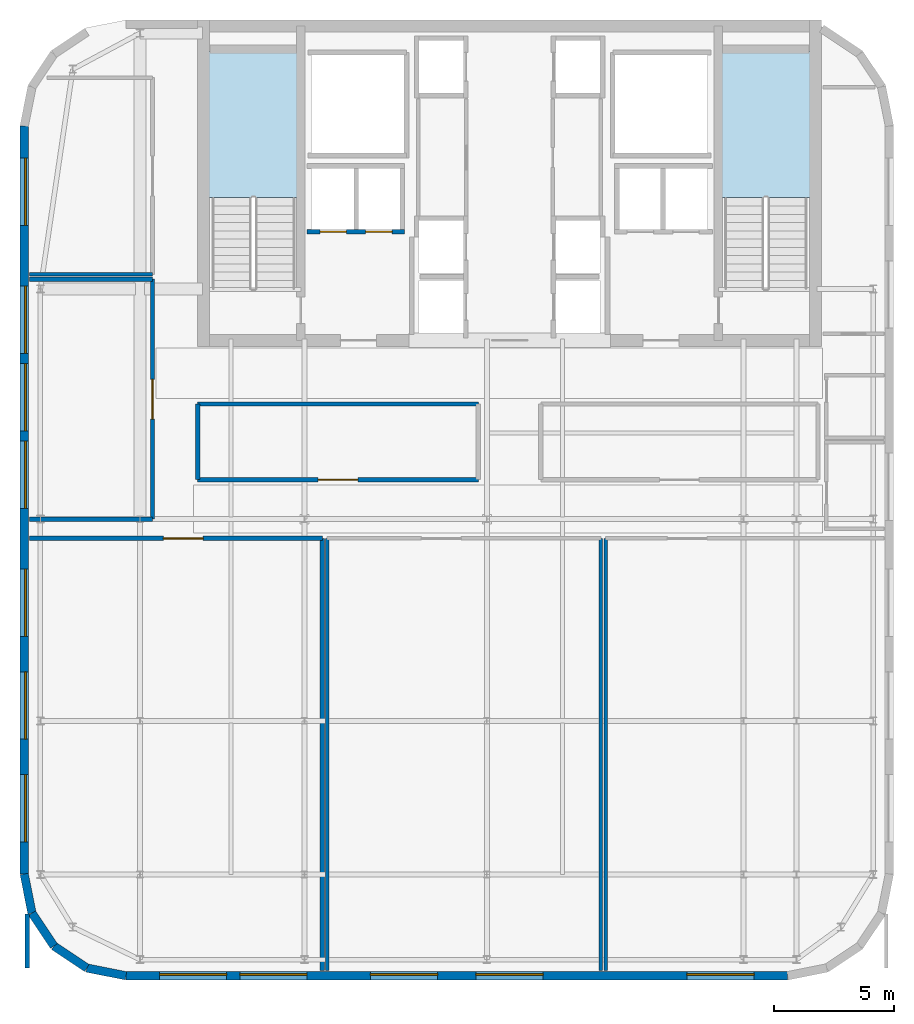
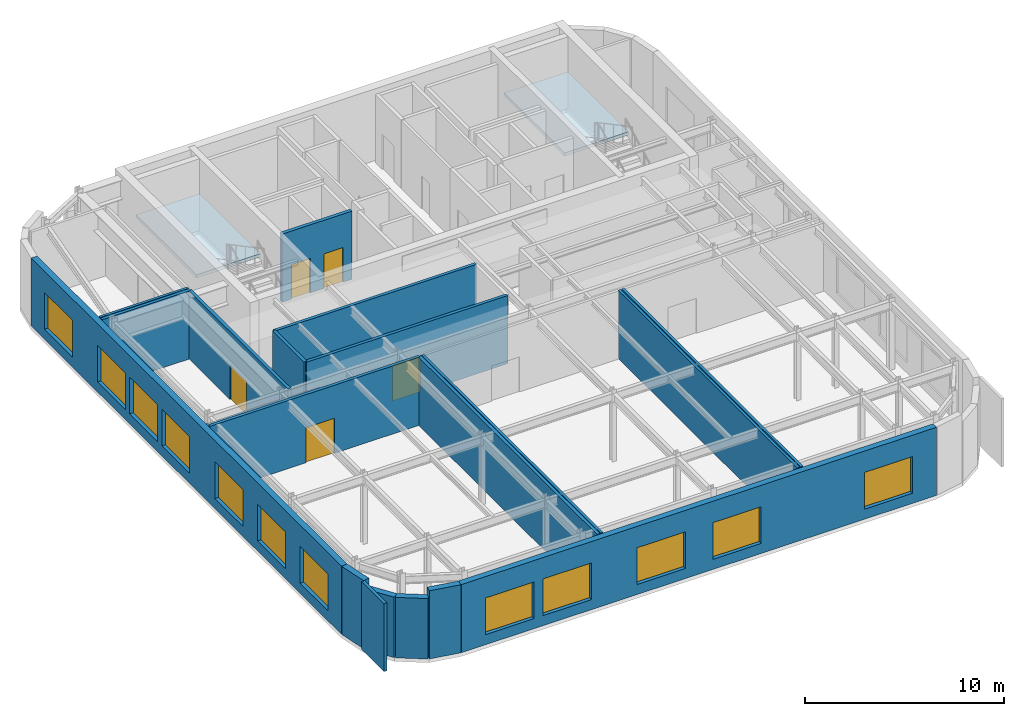
# One storey, part 6 of 10: 20 walls, 12 windows, 5 doors, 2 slabs, 17 openings, 2 elements without a shape of their own.
"""IFC4 building model written with IfcOpenShell, lengths in metres."""

from ifc_helpers import new_model, si_unit, direction, frame, frame_2d, origin, place, context, subcontext, project, spatial, polyline, rectangle, outline, extrude, source, transform, mapped, material, layer, layer_set, type_object, type_shapes, element, fill, aggregate, save


model = new_model("IFC4")

# Units and contexts
model_context = context("Model", 3, precision=1e-05, world=origin(), true_north=direction((0.0, 1.0)))
body_context = subcontext(model_context, "Body", "Model", "MODEL_VIEW")
ifc_project = project(units=[si_unit("LENGTHUNIT", "METRE"), si_unit("AREAUNIT", "SQUARE_METRE"), si_unit("VOLUMEUNIT", "CUBIC_METRE"), si_unit("PLANEANGLEUNIT", "RADIAN"), si_unit("MASSUNIT", "GRAM", prefix="KILO")], contexts=[model_context])

# Site, building, storey
site_placement = place(None, origin())
site = spatial("IfcSite", under=ifc_project, at=site_placement, CompositionType="ELEMENT")
building_placement = place(site_placement, origin())
building = spatial("IfcBuilding", under=site, at=building_placement, Name="Tolvann Quenvar Hotel", CompositionType="ELEMENT")
storey_placement = place(building_placement, frame((0.0, 0.0, 282.14990234375)))
storey = spatial("IfcBuildingStorey", under=building, at=storey_placement, Name="L75", CompositionType="ELEMENT", Elevation=282.14990234375)

# Stair, slab
ifc_material_1 = material(Name="Concrete N40 (40 MPa)", Category="concrete")
stair_type = type_object("IfcStairType", Name="STAIR", PredefinedType="HALF_TURN_STAIR", material=ifc_material_1)
stair_1_placement = place(storey_placement, origin())
stair_1 = element("IfcStair", 1, at=stair_1_placement, inside=storey, type_object=stair_type, Name="L75 ST-C1", PredefinedType="HALF_TURN_STAIR")
ifc_layer_1 = layer(ifc_material_1, 0.199951171875)
ifc_layer_set_1 = layer_set([ifc_layer_1], Name="Concrete N40 (40 MPa)")
slab_type = type_object("IfcSlabType", Name="SLAB_LANDING", PredefinedType="LANDING", material=ifc_layer_set_1)
slab_1_placement = place(storey_placement, frame((0.0, 0.0, 2.0)))
slab_1 = element("IfcSlab", 2, at=slab_1_placement, type_object=slab_type, Name="ST-C1 landing 1", PredefinedType="LANDING", context=body_context, shape_type="SweptSolid", body=[
    extrude(outline(polyline([(14.179931640625, 37.794921875), (14.179931640625, 43.8798828125), (10.469970703125, 43.8798828125), (10.469970703125, 37.794921875), (14.179931640625, 37.794921875)])), origin(), (0.0, 0.0, 1.0), 0.2001953125),
])
aggregate(stair_1, [slab_1])

stair_2_placement = place(storey_placement, origin())
stair_2 = element("IfcStair", 3, at=stair_2_placement, inside=storey, type_object=stair_type, Name="L75 ST-C2", PredefinedType="HALF_TURN_STAIR")
slab_2_placement = place(storey_placement, frame((0.0, 0.0, 2.0)))
slab_2 = element("IfcSlab", 4, at=slab_2_placement, type_object=slab_type, Name="ST-C2 landing 1", PredefinedType="LANDING", context=body_context, shape_type="SweptSolid", body=[
    extrude(outline(polyline([(35.530029296875, 37.794921875), (35.530029296875, 43.8798828125), (31.820068359375, 43.8798828125), (31.820068359375, 37.794921875), (35.530029296875, 37.794921875)])), origin(), (0.0, 0.0, 1.0), 0.2001953125),
])
aggregate(stair_2, [slab_2])

# Walls
ifc_material_2 = material(Name="Kiln-fired red and buff architectural clay brickwork and terracotta masonry", Category="masonry")
ifc_layer_2 = layer(ifc_material_2, 0.35009765625)
ifc_layer_set_2 = layer_set([ifc_layer_2], Name="Kiln-fired red and buff architectural clay brickwork and terracotta masonry")
wall_type_1 = type_object("IfcWallType", Name="WALL_EXT_BRICK_350", PredefinedType="SOLIDWALL", material=ifc_layer_set_2)
for number, where, z_axis, x_axis, name in (
    (5, (3.099609375, 7.984619140625, 0.0), (0.0, 0.0, 1.0), (0.555623290322, -0.831434158098, 0.0), "Exterior Chicago Brick Wall L75-E01"),
    (6, (4.014892578125, 6.614990234375, 0.0), (0.0, 0.0, 1.0), (0.831434158098, -0.555623290322, 0.0), "Exterior Chicago Brick Wall L75-E02"),
):
    element("IfcWall", number, at=place(storey_placement, frame(where, z_axis=z_axis, x_axis=x_axis)), inside=storey, type_object=wall_type_1, Name=name, PredefinedType="SOLIDWALL", context=body_context, shape_type="SweptSolid", body=[
        extrude(rectangle(XDim=1.647216796875, YDim=0.35009765625, at=frame_2d((0.82373046875, 0.0))), origin(), (0.0, 0.0, 1.0), 3.710205078125),
    ])
wall_1_placement = place(storey_placement, frame((5.384521484375, 5.69970703125, 0.0), z_axis=(0.0, 0.0, 1.0), x_axis=(0.980788844421, -0.195072403631, 0.0)))
element("IfcWall", 7, at=wall_1_placement, inside=storey, type_object=wall_type_1, Name="Exterior Chicago Brick Wall L75-E03", PredefinedType="SOLIDWALL", context=body_context, shape_type="SweptSolid", body=[
    extrude(rectangle(XDim=1.66455078125, YDim=0.35009765625, at=frame_2d((0.832275390625, 0.0))), origin(), (0.0, 0.0, 1.0), 4.18017578125),
])

# Wall, openings, windows
wall_2_placement = place(storey_placement, frame((7.01708984375, 5.375, 0.0), z_axis=(0.0, 0.0, 1.0), x_axis=(1.0, 0.0, 0.0)))
wall_2 = element("IfcWall", 8, at=wall_2_placement, inside=storey, type_object=wall_type_1, Name="Exterior Chicago Brick Wall L75-E04", PredefinedType="SOLIDWALL", context=body_context, shape_type="SweptSolid", body=[
    extrude(rectangle(XDim=27.565673828125, YDim=0.35009765625, at=frame_2d((13.78271484375, 0.0))), origin(), (0.0, 0.0, 1.0), 4.18017578125),
])
opening_1_placement = place(wall_2_placement, frame((1.39697265625, 0.0, 0.6201171875)))
opening_1 = element("IfcOpeningElement", 9, at=opening_1_placement, cuts=wall_2, Name="Opening W-07", PredefinedType="OPENING", context=body_context, shape_type="SweptSolid", body=[
    extrude(rectangle(XDim=2.800048828125, YDim=2.25, at=frame_2d((1.39990234375, 1.125))), frame((0.0, 0.18505859375, 0.0), z_axis=(0.0, -1.0, 0.0), x_axis=(1.0, 0.0, 0.0)), (0.0, 0.0, 1.0), 0.3701171875),
])
opening_2_placement = place(wall_2_placement, frame((4.740966796875, 0.0, 0.6201171875)))
opening_2 = element("IfcOpeningElement", 10, at=opening_2_placement, cuts=wall_2, Name="Opening W-07", PredefinedType="OPENING", context=body_context, shape_type="SweptSolid", body=[
    extrude(rectangle(XDim=2.800048828125, YDim=2.25, at=frame_2d((1.39990234375, 1.125))), frame((0.0, 0.18505859375, 0.0), z_axis=(0.0, -1.0, 0.0), x_axis=(1.0, 0.0, 0.0)), (0.0, 0.0, 1.0), 0.3701171875),
])
opening_3_placement = place(wall_2_placement, frame((10.18603515625, 0.0, 0.6201171875)))
opening_3 = element("IfcOpeningElement", 11, at=opening_3_placement, cuts=wall_2, Name="Opening W-07", PredefinedType="OPENING", context=body_context, shape_type="SweptSolid", body=[
    extrude(rectangle(XDim=2.800048828125, YDim=2.25, at=frame_2d((1.39990234375, 1.125))), frame((0.0, 0.18505859375, 0.0), z_axis=(0.0, -1.0, 0.0), x_axis=(1.0, 0.0, 0.0)), (0.0, 0.0, 1.0), 0.3701171875),
])
opening_4_placement = place(wall_2_placement, frame((14.580078125, 0.0, 0.6201171875)))
opening_4 = element("IfcOpeningElement", 12, at=opening_4_placement, cuts=wall_2, Name="Opening W-07", PredefinedType="OPENING", context=body_context, shape_type="SweptSolid", body=[
    extrude(rectangle(XDim=2.800048828125, YDim=2.25, at=frame_2d((1.39990234375, 1.125))), frame((0.0, 0.18505859375, 0.0), z_axis=(0.0, -1.0, 0.0), x_axis=(1.0, 0.0, 0.0)), (0.0, 0.0, 1.0), 0.3701171875),
])
opening_5_placement = place(wall_2_placement, frame((23.367919921875, 0.0, 0.6201171875)))
opening_5 = element("IfcOpeningElement", 13, at=opening_5_placement, cuts=wall_2, Name="Opening W-07", PredefinedType="OPENING", context=body_context, shape_type="SweptSolid", body=[
    extrude(rectangle(XDim=2.800048828125, YDim=2.25, at=frame_2d((1.39990234375, 1.125))), frame((0.0, 0.18505859375, 0.0), z_axis=(0.0, -1.0, 0.0), x_axis=(1.0, 0.0, 0.0)), (0.0, 0.0, 1.0), 0.3701171875),
])
ifc_material_3 = material(Name="Thermally broken bronze-anodised aluminium frame with double low-E glazing", Category="aluminium")
window_type = type_object("IfcWindowType", Name="WIN_OBS_2800x2350", PartitioningType="TRIPLE_PANEL_HORIZONTAL", PredefinedType="WINDOW", material=ifc_material_3)
shared_shape_1 = source(origin(), body_context, "Body", "SweptSolid", [
    extrude(rectangle(XDim=2.800048828125, YDim=2.25, at=frame_2d((1.39990234375, 1.125))), frame((0.0, 0.090087890625, 0.0), z_axis=(0.0, -1.0, 0.0), x_axis=(1.0, 0.0, 0.0)), (0.0, 0.0, 1.0), 0.06005859375),
])
type_shapes(window_type, [shared_shape_1])
window_1_placement = place(opening_1_placement, origin())
window_1 = element("IfcWindow", 14, at=window_1_placement, inside=storey, type_object=window_type, Name="Chicago Window W-07 (EW-L75-E04-W01)", OverallHeight=2.25, OverallWidth=2.800048828125, PartitioningType="TRIPLE_PANEL_HORIZONTAL", PredefinedType="WINDOW", context=body_context, shape_type="MappedRepresentation", body=[
    mapped(shared_shape_1, transform((0.0, 0.0, 0.0), x_axis=(1.0, 0.0, 0.0), y_axis=(0.0, 1.0, 0.0), z_axis=(0.0, 0.0, 1.0), scale=1.0)),
])
fill(opening_1, window_1)
window_2_placement = place(opening_2_placement, origin())
window_2 = element("IfcWindow", 15, at=window_2_placement, inside=storey, type_object=window_type, Name="Chicago Window W-07 (EW-L75-E04-W02)", OverallHeight=2.25, OverallWidth=2.800048828125, PartitioningType="TRIPLE_PANEL_HORIZONTAL", PredefinedType="WINDOW", context=body_context, shape_type="MappedRepresentation", body=[
    mapped(shared_shape_1, transform((0.0, 0.0, 0.0), x_axis=(1.0, 0.0, 0.0), y_axis=(0.0, 1.0, 0.0), z_axis=(0.0, 0.0, 1.0), scale=1.0)),
])
fill(opening_2, window_2)
window_3_placement = place(opening_3_placement, origin())
window_3 = element("IfcWindow", 16, at=window_3_placement, inside=storey, type_object=window_type, Name="Chicago Window W-07 (EW-L75-E04-W03)", OverallHeight=2.25, OverallWidth=2.800048828125, PartitioningType="TRIPLE_PANEL_HORIZONTAL", PredefinedType="WINDOW", context=body_context, shape_type="MappedRepresentation", body=[
    mapped(shared_shape_1, transform((0.0, 0.0, 0.0), x_axis=(1.0, 0.0, 0.0), y_axis=(0.0, 1.0, 0.0), z_axis=(0.0, 0.0, 1.0), scale=1.0)),
])
fill(opening_3, window_3)
window_4_placement = place(opening_4_placement, origin())
window_4 = element("IfcWindow", 17, at=window_4_placement, inside=storey, type_object=window_type, Name="Chicago Window W-07 (EW-L75-E04-W04)", OverallHeight=2.25, OverallWidth=2.800048828125, PartitioningType="TRIPLE_PANEL_HORIZONTAL", PredefinedType="WINDOW", context=body_context, shape_type="MappedRepresentation", body=[
    mapped(shared_shape_1, transform((0.0, 0.0, 0.0), x_axis=(1.0, 0.0, 0.0), y_axis=(0.0, 1.0, 0.0), z_axis=(0.0, 0.0, 1.0), scale=1.0)),
])
fill(opening_4, window_4)
window_5_placement = place(opening_5_placement, origin())
window_5 = element("IfcWindow", 18, at=window_5_placement, inside=storey, type_object=window_type, Name="Chicago Window W-07 (EW-L75-E04-W05)", OverallHeight=2.25, OverallWidth=2.800048828125, PartitioningType="TRIPLE_PANEL_HORIZONTAL", PredefinedType="WINDOW", context=body_context, shape_type="MappedRepresentation", body=[
    mapped(shared_shape_1, transform((0.0, 0.0, 0.0), x_axis=(1.0, 0.0, 0.0), y_axis=(0.0, 1.0, 0.0), z_axis=(0.0, 0.0, 1.0), scale=1.0)),
])
fill(opening_5, window_5)

wall_3_placement = place(storey_placement, frame((2.77490234375, 40.78271484375, 0.0), z_axis=(0.0, 0.0, 1.0), x_axis=(0.0, -1.0, 0.0)))
wall_3 = element("IfcWall", 19, at=wall_3_placement, inside=storey, type_object=wall_type_1, Name="Exterior Chicago Brick Wall L75-E19", PredefinedType="SOLIDWALL", context=body_context, shape_type="SweptSolid", body=[
    extrude(rectangle(XDim=31.16552734375, YDim=0.35009765625, at=frame_2d((15.582763671875, 0.0))), origin(), (0.0, 0.0, 1.0), 4.18017578125),
])
opening_6_placement = place(wall_3_placement, frame((1.340087890625, 0.0, 0.6201171875)))
opening_6 = element("IfcOpeningElement", 20, at=opening_6_placement, cuts=wall_3, Name="Opening W-07", PredefinedType="OPENING", context=body_context, shape_type="SweptSolid", body=[
    extrude(rectangle(XDim=2.800048828125, YDim=2.25, at=frame_2d((1.39990234375, 1.125))), frame((0.0, 0.18505859375, 0.0), z_axis=(0.0, -1.0, 0.0), x_axis=(1.0, 0.0, 0.0)), (0.0, 0.0, 1.0), 0.3701171875),
])
opening_7_placement = place(wall_3_placement, frame((6.6708984375, 0.0, 0.6201171875)))
opening_7 = element("IfcOpeningElement", 21, at=opening_7_placement, cuts=wall_3, Name="Opening W-07", PredefinedType="OPENING", context=body_context, shape_type="SweptSolid", body=[
    extrude(rectangle(XDim=2.800048828125, YDim=2.25, at=frame_2d((1.39990234375, 1.125))), frame((0.0, 0.18505859375, 0.0), z_axis=(0.0, -1.0, 0.0), x_axis=(1.0, 0.0, 0.0)), (0.0, 0.0, 1.0), 0.3701171875),
])
opening_8_placement = place(wall_3_placement, frame((9.902099609375, 0.0, 0.6201171875)))
opening_8 = element("IfcOpeningElement", 22, at=opening_8_placement, cuts=wall_3, Name="Opening W-07", PredefinedType="OPENING", context=body_context, shape_type="SweptSolid", body=[
    extrude(rectangle(XDim=2.800048828125, YDim=2.25, at=frame_2d((1.39990234375, 1.125))), frame((0.0, 0.18505859375, 0.0), z_axis=(0.0, -1.0, 0.0), x_axis=(1.0, 0.0, 0.0)), (0.0, 0.0, 1.0), 0.3701171875),
])
opening_9_placement = place(wall_3_placement, frame((13.133056640625, 0.0, 0.6201171875)))
opening_9 = element("IfcOpeningElement", 23, at=opening_9_placement, cuts=wall_3, Name="Opening W-07", PredefinedType="OPENING", context=body_context, shape_type="SweptSolid", body=[
    extrude(rectangle(XDim=2.800048828125, YDim=2.25, at=frame_2d((1.39990234375, 1.125))), frame((0.0, 0.18505859375, 0.0), z_axis=(0.0, -1.0, 0.0), x_axis=(1.0, 0.0, 0.0)), (0.0, 0.0, 1.0), 0.3701171875),
])
opening_10_placement = place(wall_3_placement, frame((18.464111328125, 0.0, 0.6201171875)))
opening_10 = element("IfcOpeningElement", 24, at=opening_10_placement, cuts=wall_3, Name="Opening W-07", PredefinedType="OPENING", context=body_context, shape_type="SweptSolid", body=[
    extrude(rectangle(XDim=2.800048828125, YDim=2.25, at=frame_2d((1.39990234375, 1.125))), frame((0.0, 0.18505859375, 0.0), z_axis=(0.0, -1.0, 0.0), x_axis=(1.0, 0.0, 0.0)), (0.0, 0.0, 1.0), 0.3701171875),
])
opening_11_placement = place(wall_3_placement, frame((22.743896484375, 0.0, 0.6201171875)))
opening_11 = element("IfcOpeningElement", 25, at=opening_11_placement, cuts=wall_3, Name="Opening W-07", PredefinedType="OPENING", context=body_context, shape_type="SweptSolid", body=[
    extrude(rectangle(XDim=2.800048828125, YDim=2.25, at=frame_2d((1.39990234375, 1.125))), frame((0.0, 0.18505859375, 0.0), z_axis=(0.0, -1.0, 0.0), x_axis=(1.0, 0.0, 0.0)), (0.0, 0.0, 1.0), 0.3701171875),
])
opening_12_placement = place(wall_3_placement, frame((27.02490234375, 0.0, 0.6201171875)))
opening_12 = element("IfcOpeningElement", 26, at=opening_12_placement, cuts=wall_3, Name="Opening W-07", PredefinedType="OPENING", context=body_context, shape_type="SweptSolid", body=[
    extrude(rectangle(XDim=2.800048828125, YDim=2.25, at=frame_2d((1.39990234375, 1.125))), frame((0.0, 0.18505859375, 0.0), z_axis=(0.0, -1.0, 0.0), x_axis=(1.0, 0.0, 0.0)), (0.0, 0.0, 1.0), 0.3701171875),
])
window_6_placement = place(opening_6_placement, origin())
window_6 = element("IfcWindow", 27, at=window_6_placement, inside=storey, type_object=window_type, Name="Chicago Window W-07 (EW-L75-E19-W01)", OverallHeight=2.25, OverallWidth=2.800048828125, PartitioningType="TRIPLE_PANEL_HORIZONTAL", PredefinedType="WINDOW", context=body_context, shape_type="MappedRepresentation", body=[
    mapped(shared_shape_1, transform((0.0, 0.0, 0.0), x_axis=(1.0, 0.0, 0.0), y_axis=(0.0, 1.0, 0.0), z_axis=(0.0, 0.0, 1.0), scale=1.0)),
])
fill(opening_6, window_6)
window_7_placement = place(opening_7_placement, origin())
window_7 = element("IfcWindow", 28, at=window_7_placement, inside=storey, type_object=window_type, Name="Chicago Window W-07 (EW-L75-E19-W02)", OverallHeight=2.25, OverallWidth=2.800048828125, PartitioningType="TRIPLE_PANEL_HORIZONTAL", PredefinedType="WINDOW", context=body_context, shape_type="MappedRepresentation", body=[
    mapped(shared_shape_1, transform((0.0, 0.0, 0.0), x_axis=(1.0, 0.0, 0.0), y_axis=(0.0, 1.0, 0.0), z_axis=(0.0, 0.0, 1.0), scale=1.0)),
])
fill(opening_7, window_7)
window_8_placement = place(opening_8_placement, origin())
window_8 = element("IfcWindow", 29, at=window_8_placement, inside=storey, type_object=window_type, Name="Chicago Window W-07 (EW-L75-E19-W03)", OverallHeight=2.25, OverallWidth=2.800048828125, PartitioningType="TRIPLE_PANEL_HORIZONTAL", PredefinedType="WINDOW", context=body_context, shape_type="MappedRepresentation", body=[
    mapped(shared_shape_1, transform((0.0, 0.0, 0.0), x_axis=(1.0, 0.0, 0.0), y_axis=(0.0, 1.0, 0.0), z_axis=(0.0, 0.0, 1.0), scale=1.0)),
])
fill(opening_8, window_8)
window_9_placement = place(opening_9_placement, origin())
window_9 = element("IfcWindow", 30, at=window_9_placement, inside=storey, type_object=window_type, Name="Chicago Window W-07 (EW-L75-E19-W04)", OverallHeight=2.25, OverallWidth=2.800048828125, PartitioningType="TRIPLE_PANEL_HORIZONTAL", PredefinedType="WINDOW", context=body_context, shape_type="MappedRepresentation", body=[
    mapped(shared_shape_1, transform((0.0, 0.0, 0.0), x_axis=(1.0, 0.0, 0.0), y_axis=(0.0, 1.0, 0.0), z_axis=(0.0, 0.0, 1.0), scale=1.0)),
])
fill(opening_9, window_9)
window_10_placement = place(opening_10_placement, origin())
window_10 = element("IfcWindow", 31, at=window_10_placement, inside=storey, type_object=window_type, Name="Chicago Window W-07 (EW-L75-E19-W05)", OverallHeight=2.25, OverallWidth=2.800048828125, PartitioningType="TRIPLE_PANEL_HORIZONTAL", PredefinedType="WINDOW", context=body_context, shape_type="MappedRepresentation", body=[
    mapped(shared_shape_1, transform((0.0, 0.0, 0.0), x_axis=(1.0, 0.0, 0.0), y_axis=(0.0, 1.0, 0.0), z_axis=(0.0, 0.0, 1.0), scale=1.0)),
])
fill(opening_10, window_10)
window_11_placement = place(opening_11_placement, origin())
window_11 = element("IfcWindow", 32, at=window_11_placement, inside=storey, type_object=window_type, Name="Chicago Window W-07 (EW-L75-E19-W06)", OverallHeight=2.25, OverallWidth=2.800048828125, PartitioningType="TRIPLE_PANEL_HORIZONTAL", PredefinedType="WINDOW", context=body_context, shape_type="MappedRepresentation", body=[
    mapped(shared_shape_1, transform((0.0, 0.0, 0.0), x_axis=(1.0, 0.0, 0.0), y_axis=(0.0, 1.0, 0.0), z_axis=(0.0, 0.0, 1.0), scale=1.0)),
])
fill(opening_11, window_11)
window_12_placement = place(opening_12_placement, origin())
window_12 = element("IfcWindow", 33, at=window_12_placement, inside=storey, type_object=window_type, Name="Chicago Window W-07 (EW-L75-E19-W07)", OverallHeight=2.25, OverallWidth=2.800048828125, PartitioningType="TRIPLE_PANEL_HORIZONTAL", PredefinedType="WINDOW", context=body_context, shape_type="MappedRepresentation", body=[
    mapped(shared_shape_1, transform((0.0, 0.0, 0.0), x_axis=(1.0, 0.0, 0.0), y_axis=(0.0, 1.0, 0.0), z_axis=(0.0, 0.0, 1.0), scale=1.0)),
])
fill(opening_12, window_12)

# Wall
wall_4_placement = place(storey_placement, frame((2.77490234375, 9.6171875, 0.0), z_axis=(0.0, 0.0, 1.0), x_axis=(0.195072403631, -0.980788844421, 0.0)))
element("IfcWall", 34, at=wall_4_placement, inside=storey, type_object=wall_type_1, Name="Exterior Chicago Brick Wall L75-E20", PredefinedType="SOLIDWALL", context=body_context, shape_type="SweptSolid", body=[
    extrude(rectangle(XDim=1.66455078125, YDim=0.35009765625, at=frame_2d((0.832275390625, 0.0))), origin(), (0.0, 0.0, 1.0), 4.18017578125),
])

# Wall, opening, door
ifc_material_4 = material(Name="Acoustic twin-stud fire-rated gypsum plasterboard partition")
ifc_layer_3 = layer(ifc_material_4, 0.179931640625)
ifc_layer_set_3 = layer_set([ifc_layer_3], Name="Acoustic twin-stud fire-rated gypsum plasterboard partition")
wall_type_2 = type_object("IfcWallType", Name="WALL_PART_ACOUSTIC_180", PredefinedType="PARTITIONING", material=ifc_layer_set_3)
wall_5_placement = place(storey_placement, frame((3.0048828125, 23.60009765625, 0.0), z_axis=(0.0, 0.0, 1.0), x_axis=(1.0, 0.0, 0.0)))
wall_5 = element("IfcWall", 35, at=wall_5_placement, inside=storey, type_object=wall_type_2, Name="Interior Partition PT-SPC-L75-OBS-SW-N", PredefinedType="PARTITIONING", context=body_context, shape_type="SweptSolid", body=[
    extrude(rectangle(XDim=12.195068359375, YDim=0.179931640625, at=frame_2d((6.09765625, 0.0))), origin(), (0.0, 0.0, 1.0), 4.18017578125),
])
opening_13_placement = place(wall_5_placement, frame((5.572509765625, 0.0, 0.0)))
opening_13 = element("IfcOpeningElement", 36, at=opening_13_placement, cuts=wall_5, Name="Opening AD-01", PredefinedType="OPENING", context=body_context, shape_type="SweptSolid", body=[
    extrude(rectangle(XDim=1.64990234375, YDim=2.14990234375, at=frame_2d((0.824951171875, 1.074951171875))), frame((0.0, 0.10009765625, 0.0), z_axis=(0.0, -1.0, 0.0), x_axis=(1.0, 0.0, 0.0)), (0.0, 0.0, 1.0), 0.199951171875),
])
ifc_material_5 = material(Name="Solid-core American oak acoustic fire door leaf in steel frame", Category="steel")
door_type_1 = type_object("IfcDoorType", Name="DOOR_SALON_1650", OperationType="NOTDEFINED", PredefinedType="DOOR", material=ifc_material_5)
shared_shape_2 = source(origin(), body_context, "Body", "SweptSolid", [
    extrude(rectangle(XDim=1.64990234375, YDim=2.14990234375, at=frame_2d((0.824951171875, 1.074951171875))), frame((0.0, 0.02490234375, 0.0), z_axis=(0.0, -1.0, 0.0), x_axis=(1.0, 0.0, 0.0)), (0.0, 0.0, 1.0), 0.050048828125),
])
type_shapes(door_type_1, [shared_shape_2])
door_1_placement = place(opening_13_placement, origin())
door_1 = element("IfcDoor", 37, at=door_1_placement, inside=storey, type_object=door_type_1, Name="Interior Door DOOR-SPC-L75-OBS-SW", OperationType="DOUBLE_DOOR_SINGLE_SWING", OverallHeight=2.14990234375, OverallWidth=1.64990234375, PredefinedType="DOOR", context=body_context, shape_type="MappedRepresentation", body=[
    mapped(shared_shape_2, transform((0.0, 0.0, 0.0), x_axis=(1.0, 0.0, 0.0), y_axis=(0.0, 1.0, 0.0), z_axis=(0.0, 0.0, 1.0), scale=1.0)),
])
fill(opening_13, door_1)

# Walls
wall_6_placement = place(storey_placement, frame((2.89990234375, 5.699951171875, 0.0), z_axis=(0.0, 0.0, 1.0), x_axis=(0.0, 1.0, 0.0)))
element("IfcWall", 38, at=wall_6_placement, inside=storey, type_object=wall_type_2, Name="Interior Partition PT-SPC-L75-OBS-SW-W", PredefinedType="PARTITIONING", context=body_context, shape_type="SweptSolid", body=[
    extrude(rectangle(XDim=2.2451171875, YDim=0.179931640625, at=frame_2d((1.12255859375, 0.0))), origin(), (0.0, 0.0, 1.0), 4.18017578125),
])
wall_7_placement = place(storey_placement, frame((15.199951171875, 5.60498046875, 0.0), z_axis=(0.0, 0.0, 1.0), x_axis=(0.0, 1.0, 0.0)))
element("IfcWall", 39, at=wall_7_placement, inside=storey, type_object=wall_type_2, Name="Interior Partition PT-SPC-L75-OBS-SW-E", PredefinedType="PARTITIONING", context=body_context, shape_type="SweptSolid", body=[
    extrude(rectangle(XDim=17.9951171875, YDim=0.179931640625, at=frame_2d((8.99755859375, 0.0))), origin(), (0.0, 0.0, 1.0), 4.18017578125),
])

# Wall, opening, door
wall_8_placement = place(storey_placement, frame((10.0, 26.050048828125, 0.0), z_axis=(0.0, 0.0, 1.0), x_axis=(1.0, 0.0, 0.0)))
wall_8 = element("IfcWall", 40, at=wall_8_placement, inside=storey, type_object=wall_type_2, Name="Interior Partition PT-SPC-L75-SKY1-S", PredefinedType="PARTITIONING", context=body_context, shape_type="SweptSolid", body=[
    extrude(rectangle(XDim=11.699951171875, YDim=0.179931640625, at=frame_2d((5.85009765625, 0.0))), origin(), (0.0, 0.0, 1.0), 4.18017578125),
])
opening_14_placement = place(wall_8_placement, frame((5.02490234375, 0.0, 0.0)))
opening_14 = element("IfcOpeningElement", 41, at=opening_14_placement, cuts=wall_8, Name="Opening AD-01", PredefinedType="OPENING", context=body_context, shape_type="SweptSolid", body=[
    extrude(rectangle(XDim=1.64990234375, YDim=2.14990234375, at=frame_2d((0.824951171875, 1.074951171875))), frame((0.0, 0.10009765625, 0.0), z_axis=(0.0, -1.0, 0.0), x_axis=(1.0, 0.0, 0.0)), (0.0, 0.0, 1.0), 0.199951171875),
])
door_2_placement = place(opening_14_placement, origin())
door_2 = element("IfcDoor", 42, at=door_2_placement, inside=storey, type_object=door_type_1, Name="Interior Door DOOR-SPC-L75-SKY1", OperationType="DOUBLE_DOOR_SINGLE_SWING", OverallHeight=2.14990234375, OverallWidth=1.64990234375, PredefinedType="DOOR", context=body_context, shape_type="MappedRepresentation", body=[
    mapped(shared_shape_2, transform((0.0, 0.0, 0.0), x_axis=(1.0, 0.0, 0.0), y_axis=(0.0, 1.0, 0.0), z_axis=(0.0, 0.0, 1.0), scale=1.0)),
])
fill(opening_14, door_2)

# Walls
wall_9_placement = place(storey_placement, frame((10.0, 29.199951171875, 0.0), z_axis=(0.0, 0.0, 1.0), x_axis=(1.0, 0.0, 0.0)))
element("IfcWall", 43, at=wall_9_placement, inside=storey, type_object=wall_type_2, Name="Interior Partition PT-SPC-L75-SKY1-N", PredefinedType="PARTITIONING", context=body_context, shape_type="SweptSolid", body=[
    extrude(rectangle(XDim=11.699951171875, YDim=0.179931640625, at=frame_2d((5.85009765625, 0.0))), origin(), (0.0, 0.0, 1.0), 4.18017578125),
])
wall_10_placement = place(storey_placement, frame((10.0, 26.050048828125, 0.0), z_axis=(0.0, 0.0, 1.0), x_axis=(0.0, 1.0, 0.0)))
element("IfcWall", 44, at=wall_10_placement, inside=storey, type_object=wall_type_2, Name="Interior Partition PT-SPC-L75-SKY1-W", PredefinedType="PARTITIONING", context=body_context, shape_type="SweptSolid", body=[
    extrude(rectangle(XDim=3.14990234375, YDim=0.179931640625, at=frame_2d((1.574951171875, 0.0))), origin(), (0.0, 0.0, 1.0), 4.18017578125),
])
wall_11_placement = place(storey_placement, frame((3.0048828125, 24.39990234375, 0.0), z_axis=(0.0, 0.0, 1.0), x_axis=(1.0, 0.0, 0.0)))
element("IfcWall", 45, at=wall_11_placement, inside=storey, type_object=wall_type_2, Name="Interior Partition PT-SPC-L75-EXH-S", PredefinedType="PARTITIONING", context=body_context, shape_type="SweptSolid", body=[
    extrude(rectangle(XDim=5.115234375, YDim=0.179931640625, at=frame_2d((2.5576171875, 0.0))), origin(), (0.0, 0.0, 1.0), 3.63720703125),
])
wall_12_placement = place(storey_placement, frame((3.0048828125, 34.39990234375, 0.0), z_axis=(0.0, 0.0, 1.0), x_axis=(1.0, 0.0, 0.0)))
element("IfcWall", 46, at=wall_12_placement, inside=storey, type_object=wall_type_2, Name="Interior Partition PT-SPC-L75-EXH-N", PredefinedType="PARTITIONING", context=body_context, shape_type="SweptSolid", body=[
    extrude(rectangle(XDim=5.115234375, YDim=0.179931640625, at=frame_2d((2.5576171875, 0.0))), origin(), (0.0, 0.0, 1.0), 4.18017578125),
])

# Wall, opening, door
wall_13_placement = place(storey_placement, frame((8.1201171875, 24.39990234375, 0.0), z_axis=(0.0, 0.0, 1.0), x_axis=(0.0, 1.0, 0.0)))
wall_13 = element("IfcWall", 47, at=wall_13_placement, inside=storey, type_object=wall_type_2, Name="Interior Partition PT-SPC-L75-EXH-E", PredefinedType="PARTITIONING", context=body_context, shape_type="SweptSolid", body=[
    extrude(rectangle(XDim=10.0, YDim=0.179931640625, at=frame_2d((5.0, 0.0))), origin(), (0.0, 0.0, 1.0), 4.18017578125),
])
opening_15_placement = place(wall_13_placement, frame((4.175048828125, 0.0, 0.0)))
opening_15 = element("IfcOpeningElement", 48, at=opening_15_placement, cuts=wall_13, Name="Opening AD-01", PredefinedType="OPENING", context=body_context, shape_type="SweptSolid", body=[
    extrude(rectangle(XDim=1.64990234375, YDim=2.14990234375, at=frame_2d((0.824951171875, 1.074951171875))), frame((0.0, 0.10009765625, 0.0), z_axis=(0.0, -1.0, 0.0), x_axis=(1.0, 0.0, 0.0)), (0.0, 0.0, 1.0), 0.199951171875),
])
door_3_placement = place(opening_15_placement, origin())
door_3 = element("IfcDoor", 49, at=door_3_placement, inside=storey, type_object=door_type_1, Name="Interior Door DOOR-SPC-L75-EXH", OperationType="DOUBLE_DOOR_SINGLE_SWING", OverallHeight=2.14990234375, OverallWidth=1.64990234375, PredefinedType="DOOR", context=body_context, shape_type="MappedRepresentation", body=[
    mapped(shared_shape_2, transform((0.0, 0.0, 0.0), x_axis=(1.0, 0.0, 0.0), y_axis=(0.0, 1.0, 0.0), z_axis=(0.0, 0.0, 1.0), scale=1.0)),
])
fill(opening_15, door_3)

# Walls
ifc_layer_4 = layer(ifc_material_4, 0.14990234375)
ifc_layer_set_4 = layer_set([ifc_layer_4], Name="Acoustic twin-stud fire-rated gypsum plasterboard partition")
wall_type_3 = type_object("IfcWallType", Name="WALL_PART_SUITE_150", PredefinedType="PARTITIONING", material=ifc_layer_set_4)
for number, where, z_axis, x_axis, name in (
    (50, (15.39990234375, 5.60498046875, 0.0), (0.0, 0.0, 1.0), (0.0, 1.0, 0.0), "Interior Partition PT-SPC-L75-OBS-SC-W"),
    (51, (26.800048828125, 5.60498046875, 0.0), (0.0, 0.0, 1.0), (0.0, 1.0, 0.0), "Interior Partition PT-SPC-L75-OBS-SC-E"),
    (52, (27.0, 5.60498046875, 0.0), (0.0, 0.0, 1.0), (0.0, 1.0, 0.0), "Interior Partition PT-SPC-L75-OBS-SE-W"),
):
    element("IfcWall", number, at=place(storey_placement, frame(where, z_axis=z_axis, x_axis=x_axis)), inside=storey, type_object=wall_type_3, Name=name, PredefinedType="PARTITIONING", context=body_context, shape_type="SweptSolid", body=[
        extrude(rectangle(XDim=17.9951171875, YDim=0.14990234375, at=frame_2d((8.99755859375, 0.0))), origin(), (0.0, 0.0, 1.0), 4.18017578125),
    ])
wall_14_placement = place(storey_placement, frame((3.0048828125, 34.60009765625, 0.0), z_axis=(0.0, 0.0, 1.0), x_axis=(1.0, 0.0, 0.0)))
element("IfcWall", 53, at=wall_14_placement, inside=storey, type_object=wall_type_3, Name="Interior Partition PT-SPC-L75-GIFT-S", PredefinedType="PARTITIONING", context=body_context, shape_type="SweptSolid", body=[
    extrude(rectangle(XDim=5.115234375, YDim=0.14990234375, at=frame_2d((2.5576171875, 0.0))), origin(), (0.0, 0.0, 1.0), 4.18017578125),
])

# Wall, openings, doors
ifc_layer_5 = layer(ifc_material_1, 0.199951171875)
ifc_layer_set_5 = layer_set([ifc_layer_5], Name="Concrete N40 (40 MPa)")
wall_type_4 = type_object("IfcWallType", Name="WALL_SHAFT_200", PredefinedType="SOLIDWALL", material=ifc_layer_set_5)
wall_15_placement = place(storey_placement, frame((14.550048828125, 36.3798828125, 0.0), z_axis=(0.0, 0.0, 1.0), x_axis=(1.0, 0.0, 0.0)))
wall_15 = element("IfcWall", 54, at=wall_15_placement, inside=storey, type_object=wall_type_4, Name="Lift Bank SWC1 Hoistway Front Wall (L75)", PredefinedType="SOLIDWALL", context=body_context, shape_type="SweptSolid", body=[
    extrude(rectangle(XDim=4.074951171875, YDim=0.199951171875, at=frame_2d((2.03759765625, 0.0))), origin(), (0.0, 0.0, 1.0), 4.18017578125),
])
opening_16_placement = place(wall_15_placement, frame((0.550048828125, 0.0, 0.0)))
opening_16 = element("IfcOpeningElement", 55, at=opening_16_placement, cuts=wall_15, Name="Opening LD-01", PredefinedType="OPENING", context=body_context, shape_type="SweptSolid", body=[
    extrude(rectangle(XDim=1.10009765625, YDim=2.1201171875, at=frame_2d((0.550048828125, 1.06005859375))), frame((0.0, 0.10986328125, 0.0), z_axis=(0.0, -1.0, 0.0), x_axis=(1.0, 0.0, 0.0)), (0.0, 0.0, 1.0), 0.219970703125),
])
opening_17_placement = place(wall_15_placement, frame((2.449951171875, 0.0, 0.0)))
opening_17 = element("IfcOpeningElement", 56, at=opening_17_placement, cuts=wall_15, Name="Opening LD-01", PredefinedType="OPENING", context=body_context, shape_type="SweptSolid", body=[
    extrude(rectangle(XDim=1.10009765625, YDim=2.1201171875, at=frame_2d((0.550048828125, 1.06005859375))), frame((0.0, 0.10986328125, 0.0), z_axis=(0.0, -1.0, 0.0), x_axis=(1.0, 0.0, 0.0)), (0.0, 0.0, 1.0), 0.219970703125),
])
ifc_material_6 = material(Name="Brushed 316 stainless steel automatic sliding lift landing door", Category="steel")
door_type_2 = type_object("IfcDoorType", Name="DOOR_LIFT_SLIDE_1100", OperationType="NOTDEFINED", PredefinedType="DOOR", material=ifc_material_6)
shared_shape_3 = source(origin(), body_context, "Body", "SweptSolid", [
    extrude(rectangle(XDim=1.10009765625, YDim=2.1201171875, at=frame_2d((0.550048828125, 1.06005859375))), frame((0.0, 0.02490234375, 0.0), z_axis=(0.0, -1.0, 0.0), x_axis=(1.0, 0.0, 0.0)), (0.0, 0.0, 1.0), 0.050048828125),
])
type_shapes(door_type_2, [shared_shape_3])
door_4_placement = place(opening_16_placement, origin())
door_4 = element("IfcDoor", 57, at=door_4_placement, inside=storey, type_object=door_type_2, Name="Lift FF-1 Sliding Landing Door (L75)", OperationType="SLIDING_TO_LEFT", OverallHeight=2.1201171875, OverallWidth=1.10009765625, PredefinedType="DOOR", context=body_context, shape_type="MappedRepresentation", body=[
    mapped(shared_shape_3, transform((0.0, 0.0, 0.0), x_axis=(1.0, 0.0, 0.0), y_axis=(0.0, 1.0, 0.0), z_axis=(0.0, 0.0, 1.0), scale=1.0)),
])
fill(opening_16, door_4)
door_5_placement = place(opening_17_placement, origin())
door_5 = element("IfcDoor", 58, at=door_5_placement, inside=storey, type_object=door_type_2, Name="Lift SV-1 Sliding Landing Door (L75)", OperationType="SLIDING_TO_RIGHT", OverallHeight=2.1201171875, OverallWidth=1.10009765625, PredefinedType="DOOR", context=body_context, shape_type="MappedRepresentation", body=[
    mapped(shared_shape_3, transform((0.0, 0.0, 0.0), x_axis=(1.0, 0.0, 0.0), y_axis=(0.0, 1.0, 0.0), z_axis=(0.0, 0.0, 1.0), scale=1.0)),
])
fill(opening_17, door_5)

save(model, "model.ifc")
